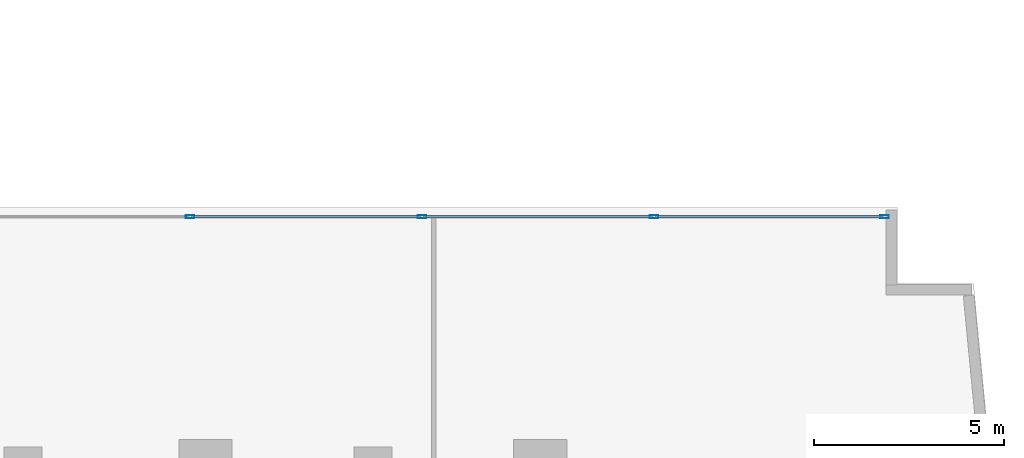
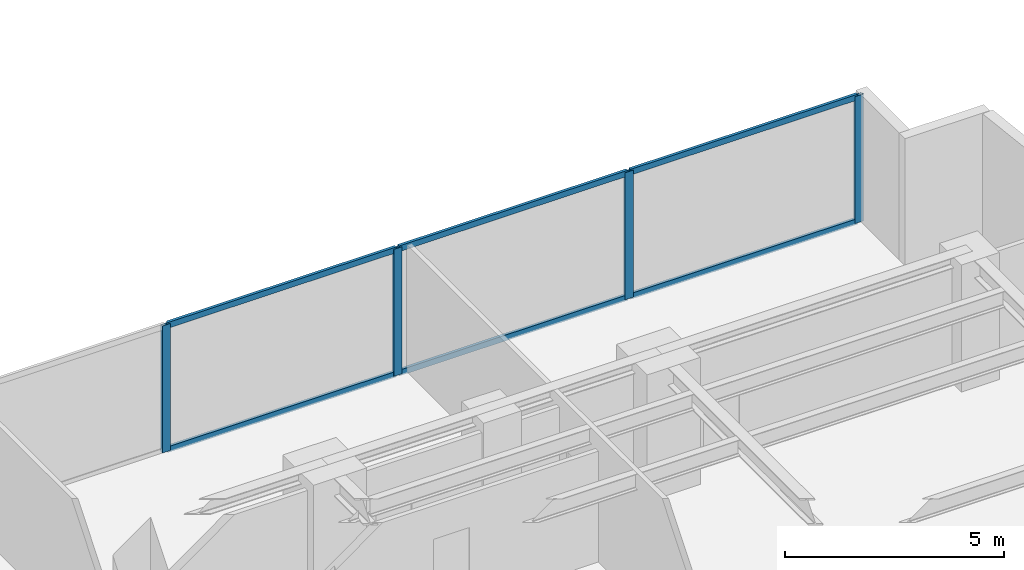
# One storey, part 15 of 29: 10 members, 1 element without a shape of its own.
"""IFC4 building model written with IfcOpenShell, lengths in metres."""

from ifc_helpers import new_model, si_unit, direction, frame, origin, origin_with_axes, origin_2d, place, context, subcontext, project, spatial, hollow_rectangle, extrude, source, transform, mapped, material, layer, layer_set, material_profile, profile_set, type_object, element, aggregate, save


model = new_model("IFC4")

# Units and contexts
model_context = context("Model", 3, precision=1e-05, world=origin(), true_north=direction((0.0, 1.0)))
body_context = subcontext(model_context, "Body", "Model", "MODEL_VIEW")
ifc_project = project(units=[si_unit("LENGTHUNIT", "METRE"), si_unit("AREAUNIT", "SQUARE_METRE"), si_unit("VOLUMEUNIT", "CUBIC_METRE"), si_unit("PLANEANGLEUNIT", "RADIAN"), si_unit("MASSUNIT", "GRAM", prefix="KILO")], contexts=[model_context])

# Site, building, storey
site_placement = place(None, origin())
site = spatial("IfcSite", under=ifc_project, at=site_placement, CompositionType="ELEMENT")
building_placement = place(site_placement, origin())
building = spatial("IfcBuilding", under=site, at=building_placement, Name="Kolvaren Waterfront Exchange", CompositionType="ELEMENT")
storey_placement = place(building_placement, frame((0.0, 0.0, 129.699951171875)))
storey = spatial("IfcBuildingStorey", under=building, at=storey_placement, Name="L33", CompositionType="ELEMENT", Elevation=129.699951171875)

# Curtain wall, members
ifc_material_1 = material(Name="Anodised bronze aluminium 6063-T6", Category="aluminium")
ifc_layer = layer(ifc_material_1, 0.219970703125, Name="Anodised bronze aluminium 6063-T6")
ifc_layer_set = layer_set([ifc_layer], Name="Anodised bronze aluminium 6063-T6")
curtain_wall_type = type_object("IfcCurtainWallType", Name="ARC-CW-SYS1", PredefinedType="USERDEFINED", material=ifc_layer_set)
curtain_wall_placement = place(storey_placement, origin())
curtain_wall = element("IfcCurtainWall", 1, at=curtain_wall_placement, inside=storey, type_object=curtain_wall_type, Name="L33 stick curtain wall CW1 (CW-L33-EN)", ObjectType="STICK CURTAIN WALL", PredefinedType="USERDEFINED")
ifc_material_2 = material(Name="Anodised aluminium 6063-T6", Category="aluminium")
ifc_material_profile_1 = material_profile(ifc_material_2, hollow_rectangle(XDim=0.080078125, YDim=0.219970703125, WallThickness=0.0048828125, at=origin_2d()), Name="ALU-MUL-220x80x5")
ifc_profile_set_1 = profile_set([ifc_material_profile_1], Name="Anodised aluminium 6063-T6")
member_type_1 = type_object("IfcMemberType", Name="ARC-CWM-220", PredefinedType="MULLION", material=ifc_profile_set_1)
shared_shape_1 = source(origin_with_axes(), body_context, "Body", "SweptSolid", [
    extrude(hollow_rectangle(XDim=0.080078125, YDim=0.219970703125, WallThickness=0.0048828125, at=origin_2d()), origin(), (0.0, 0.0, 1.0), 3.5400390625),
])
member_1_placement = place(storey_placement, frame((36.392578125, 23.9599609375, 0.0), z_axis=(0.0, 0.0, 1.0), x_axis=(0.0, 1.0, 0.0)))
member_1 = element("IfcMember", 2, at=member_1_placement, type_object=member_type_1, Name="CW1 mullion 2", PredefinedType="MULLION", context=body_context, shape_type="MappedRepresentation", body=[
    mapped(shared_shape_1, transform((0.0, 0.0, 0.0), x_axis=(1.0, 0.0, 0.0), y_axis=(0.0, 1.0, 0.0), z_axis=(0.0, 0.0, 1.0), scale=1.0)),
])
member_2_placement = place(storey_placement, frame((42.4951171875, 23.9599609375, 0.0), z_axis=(0.0, 0.0, 1.0), x_axis=(0.0, 1.0, 0.0)))
member_2 = element("IfcMember", 3, at=member_2_placement, type_object=member_type_1, Name="CW1 mullion 3", PredefinedType="MULLION", context=body_context, shape_type="MappedRepresentation", body=[
    mapped(shared_shape_1, transform((0.0, 0.0, 0.0), x_axis=(1.0, 0.0, 0.0), y_axis=(0.0, 1.0, 0.0), z_axis=(0.0, 0.0, 1.0), scale=1.0)),
])
member_3_placement = place(storey_placement, frame((48.597412109375, 23.9599609375, 0.0), z_axis=(0.0, 0.0, 1.0), x_axis=(0.0, 1.0, 0.0)))
member_3 = element("IfcMember", 4, at=member_3_placement, type_object=member_type_1, Name="CW1 mullion 4", PredefinedType="MULLION", context=body_context, shape_type="MappedRepresentation", body=[
    mapped(shared_shape_1, transform((0.0, 0.0, 0.0), x_axis=(1.0, 0.0, 0.0), y_axis=(0.0, 1.0, 0.0), z_axis=(0.0, 0.0, 1.0), scale=1.0)),
])
member_4_placement = place(storey_placement, frame((54.659912109375, 23.9599609375, 0.0), z_axis=(0.0, 0.0, 1.0), x_axis=(0.0, 1.0, 0.0)))
member_4 = element("IfcMember", 5, at=member_4_placement, type_object=member_type_1, Name="CW1 mullion 5", PredefinedType="MULLION", context=body_context, shape_type="MappedRepresentation", body=[
    mapped(shared_shape_1, transform((0.0, 0.0, 0.0), x_axis=(1.0, 0.0, 0.0), y_axis=(0.0, 1.0, 0.0), z_axis=(0.0, 0.0, 1.0), scale=1.0)),
])
ifc_material_profile_2 = material_profile(ifc_material_2, hollow_rectangle(XDim=0.074951171875, YDim=0.159912109375, WallThickness=0.00439453125, at=origin_2d()), Name="ALU-TRN-160x75x4.5")
ifc_profile_set_2 = profile_set([ifc_material_profile_2], Name="Anodised aluminium 6063-T6")
member_type_2 = type_object("IfcMemberType", Name="ARC-CWT-160", PredefinedType="USERDEFINED", material=ifc_profile_set_2)
shared_shape_2 = source(origin_with_axes(), body_context, "Body", "SweptSolid", [
    extrude(hollow_rectangle(XDim=0.074951171875, YDim=0.159912109375, WallThickness=0.00439453125, at=origin_2d()), origin(), (0.0, 0.0, 1.0), 6.0224609375),
])
member_5_placement = place(storey_placement, frame((36.4326171875, 23.9599609375, 0.03759765625), z_axis=(1.0, 0.0, 0.0), x_axis=(0.0, 1.0, 0.0)))
member_5 = element("IfcMember", 6, at=member_5_placement, type_object=member_type_2, Name="CW1 transom 2.1", ObjectType="TRANSOM", PredefinedType="USERDEFINED", context=body_context, shape_type="MappedRepresentation", body=[
    mapped(shared_shape_2, transform((0.0, 0.0, 0.0), x_axis=(1.0, 0.0, 0.0), y_axis=(0.0, 1.0, 0.0), z_axis=(0.0, 0.0, 1.0), scale=1.0)),
])
member_6_placement = place(storey_placement, frame((36.4326171875, 23.9599609375, 3.50244140625), z_axis=(1.0, 0.0, 0.0), x_axis=(0.0, 1.0, 0.0)))
member_6 = element("IfcMember", 7, at=member_6_placement, type_object=member_type_2, Name="CW1 transom 2.2", ObjectType="TRANSOM", PredefinedType="USERDEFINED", context=body_context, shape_type="MappedRepresentation", body=[
    mapped(shared_shape_2, transform((0.0, 0.0, 0.0), x_axis=(1.0, 0.0, 0.0), y_axis=(0.0, 1.0, 0.0), z_axis=(0.0, 0.0, 1.0), scale=1.0)),
])
shared_shape_3 = source(origin_with_axes(), body_context, "Body", "SweptSolid", [
    extrude(hollow_rectangle(XDim=0.074951171875, YDim=0.159912109375, WallThickness=0.00439453125, at=origin_2d()), origin(), (0.0, 0.0, 1.0), 6.022705078125),
])
member_7_placement = place(storey_placement, frame((42.534912109375, 23.9599609375, 0.03759765625), z_axis=(1.0, 0.0, 0.0), x_axis=(0.0, 1.0, 0.0)))
member_7 = element("IfcMember", 8, at=member_7_placement, type_object=member_type_2, Name="CW1 transom 3.1", ObjectType="TRANSOM", PredefinedType="USERDEFINED", context=body_context, shape_type="MappedRepresentation", body=[
    mapped(shared_shape_3, transform((0.0, 0.0, 0.0), x_axis=(1.0, 0.0, 0.0), y_axis=(0.0, 1.0, 0.0), z_axis=(0.0, 0.0, 1.0), scale=1.0)),
])
member_8_placement = place(storey_placement, frame((42.534912109375, 23.9599609375, 3.50244140625), z_axis=(1.0, 0.0, 0.0), x_axis=(0.0, 1.0, 0.0)))
member_8 = element("IfcMember", 9, at=member_8_placement, type_object=member_type_2, Name="CW1 transom 3.2", ObjectType="TRANSOM", PredefinedType="USERDEFINED", context=body_context, shape_type="MappedRepresentation", body=[
    mapped(shared_shape_3, transform((0.0, 0.0, 0.0), x_axis=(1.0, 0.0, 0.0), y_axis=(0.0, 1.0, 0.0), z_axis=(0.0, 0.0, 1.0), scale=1.0)),
])
shared_shape_4 = source(origin_with_axes(), body_context, "Body", "SweptSolid", [
    extrude(hollow_rectangle(XDim=0.074951171875, YDim=0.159912109375, WallThickness=0.00439453125, at=origin_2d()), origin(), (0.0, 0.0, 1.0), 5.982666015625),
])
member_9_placement = place(storey_placement, frame((48.637451171875, 23.9599609375, 0.03759765625), z_axis=(1.0, 0.0, 0.0), x_axis=(0.0, 1.0, 0.0)))
member_9 = element("IfcMember", 10, at=member_9_placement, type_object=member_type_2, Name="CW1 transom 4.1", ObjectType="TRANSOM", PredefinedType="USERDEFINED", context=body_context, shape_type="MappedRepresentation", body=[
    mapped(shared_shape_4, transform((0.0, 0.0, 0.0), x_axis=(1.0, 0.0, 0.0), y_axis=(0.0, 1.0, 0.0), z_axis=(0.0, 0.0, 1.0), scale=1.0)),
])
member_10_placement = place(storey_placement, frame((48.637451171875, 23.9599609375, 3.50244140625), z_axis=(1.0, 0.0, 0.0), x_axis=(0.0, 1.0, 0.0)))
member_10 = element("IfcMember", 11, at=member_10_placement, type_object=member_type_2, Name="CW1 transom 4.2", ObjectType="TRANSOM", PredefinedType="USERDEFINED", context=body_context, shape_type="MappedRepresentation", body=[
    mapped(shared_shape_4, transform((0.0, 0.0, 0.0), x_axis=(1.0, 0.0, 0.0), y_axis=(0.0, 1.0, 0.0), z_axis=(0.0, 0.0, 1.0), scale=1.0)),
])
aggregate(curtain_wall, [member_1, member_2, member_3, member_4, member_5, member_6, member_7, member_8, member_9, member_10])

save(model, "model.ifc")
